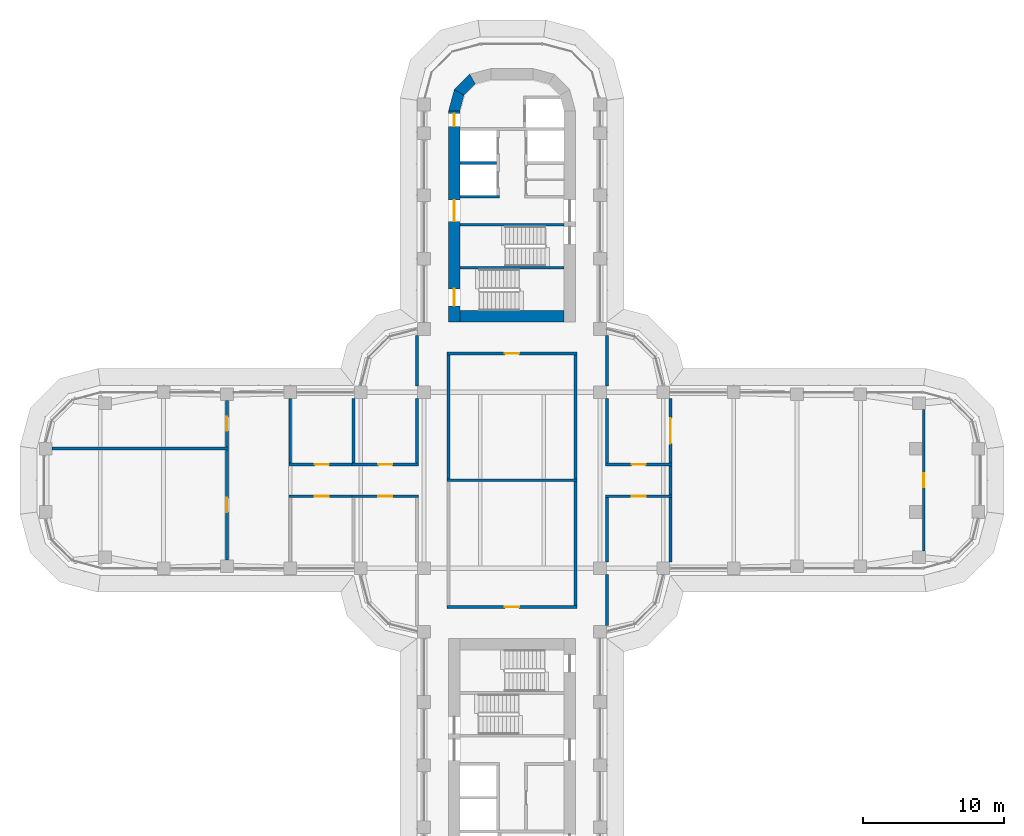
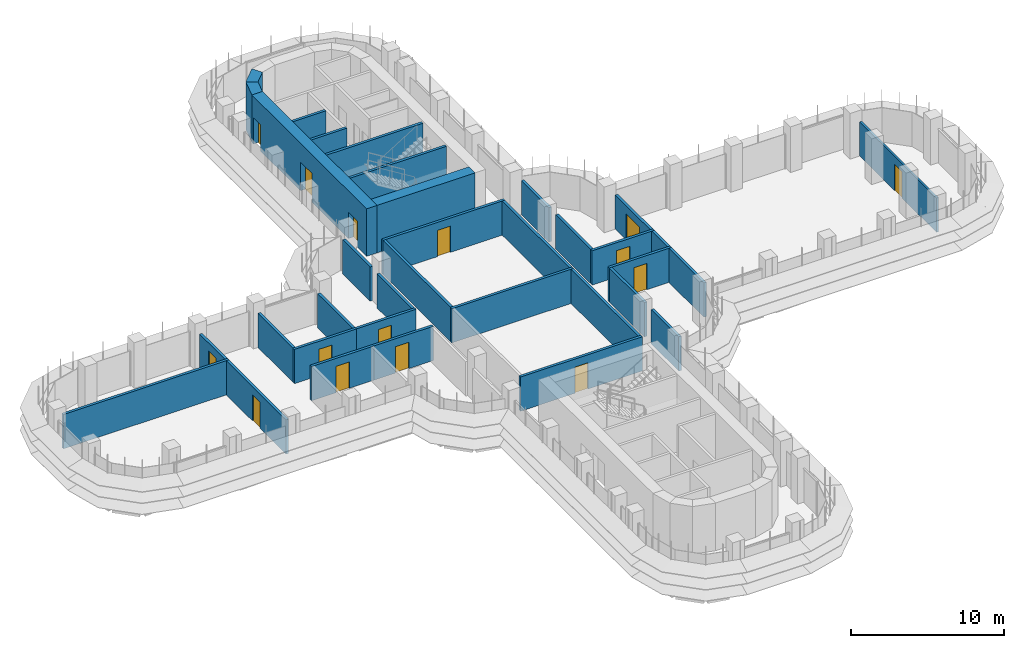
# One storey, part 16 of 21: 35 walls, 15 doors, 15 openings.
"""IFC4 building model written with IfcOpenShell, lengths in metres."""

from ifc_helpers import new_model, si_unit, direction, frame, frame_2d, origin, place, context, subcontext, project, spatial, polyline, rectangle, outline, extrude, material, layer, layer_set, type_object, element, fill, save


model = new_model("IFC4")

# Units and contexts
model_context = context("Model", 3, precision=1e-05, world=origin(), true_north=direction((0.0, 1.0)))
body_context = subcontext(model_context, "Body", "Model", "MODEL_VIEW")
ifc_project = project(units=[si_unit("LENGTHUNIT", "METRE"), si_unit("AREAUNIT", "SQUARE_METRE"), si_unit("VOLUMEUNIT", "CUBIC_METRE"), si_unit("PLANEANGLEUNIT", "RADIAN"), si_unit("MASSUNIT", "GRAM", prefix="KILO")], contexts=[model_context])

# Site, building, storey
site_placement = place(None, origin())
site = spatial("IfcSite", under=ifc_project, at=site_placement, CompositionType="ELEMENT")
building_placement = place(site_placement, origin())
building = spatial("IfcBuilding", under=site, at=building_placement, Name="Zarbagh Exchange Tower", CompositionType="ELEMENT")
storey_placement = place(building_placement, frame((0.0, 0.0, 117.0)))
storey = spatial("IfcBuildingStorey", under=building, at=storey_placement, Name="L27", CompositionType="ELEMENT", Elevation=117.0)

# Wall, opening, door
ifc_material_1 = material(Name="Plasterboard partition")
ifc_layer_1 = layer(ifc_material_1, 0.14990234375)
ifc_layer_set_1 = layer_set([ifc_layer_1], Name="PARTITION 150")
wall_type_1 = type_object("IfcWallType", Name="PARTITION 150", PredefinedType="PARTITIONING", material=ifc_layer_set_1)
wall_1_placement = place(storey_placement, frame((29.25, 5.02490234375, 0.0), z_axis=(0.0, 0.0, 1.0), x_axis=(0.0, -1.0, 0.0)))
wall_1 = element("IfcWall", 1, at=wall_1_placement, inside=storey, type_object=wall_type_1, Name="Partition W-1021", PredefinedType="PARTITIONING", context=body_context, shape_type="SweptSolid", body=[
    extrude(rectangle(XDim=10.0498046875, YDim=0.14990234375, at=frame_2d((5.02490234375, 0.0))), origin(), (0.0, 0.0, 1.0), 2.738037109375),
])
opening_1_placement = place(wall_1_placement, frame((4.52490234375, 0.0, 0.0)))
opening_1 = element("IfcOpeningElement", 2, at=opening_1_placement, cuts=wall_1, Name="Opening D-1003", PredefinedType="OPENING", context=body_context, shape_type="SweptSolid", body=[
    extrude(rectangle(XDim=1.0, YDim=2.10009765625, at=frame_2d((0.5, 1.050048828125))), frame((0.0, 0.0849609375, 0.0), z_axis=(0.0, -1.0, 0.0), x_axis=(1.0, 0.0, 0.0)), (0.0, 0.0, 1.0), 0.169921875),
])
ifc_material_2 = material(Name="Timber door leaf", Category="wood")
door_type_1 = type_object("IfcDoorType", Name="DOOR 1000 X 2100", OperationType="NOTDEFINED", PredefinedType="DOOR", material=ifc_material_2)
door_1_placement = place(opening_1_placement, origin())
door_1 = element("IfcDoor", 3, at=door_1_placement, inside=storey, type_object=door_type_1, Name="Door D-1003", OperationType="SINGLE_SWING_RIGHT", OverallHeight=2.10009765625, OverallWidth=1.0, PredefinedType="DOOR", context=body_context, shape_type="SweptSolid", body=[
    extrude(rectangle(XDim=1.0, YDim=2.10009765625, at=frame_2d((0.5, 1.050048828125))), frame((0.0, 0.02490234375, 0.0), z_axis=(0.0, -1.0, 0.0), x_axis=(1.0, 0.0, 0.0)), (0.0, 0.0, 1.0), 0.050048828125),
])
fill(opening_1, door_1)

# Walls
ifc_material_3 = material(Name="Fire-rated plasterboard partition")
ifc_layer_2 = layer(ifc_material_3, 0.199951171875)
ifc_layer_set_2 = layer_set([ifc_layer_2], Name="RATED PARTITION 200")
wall_type_2 = type_object("IfcWallType", Name="RATED PARTITION 200", PredefinedType="PARTITIONING", material=ifc_layer_set_2)
wall_2_placement = place(storey_placement, frame((-4.5, 0.10009765625, 0.0), z_axis=(0.0, 0.0, 1.0), x_axis=(0.0, 1.0, 0.0)))
element("IfcWall", 4, at=wall_2_placement, inside=storey, type_object=wall_type_2, Name="Partition W-1001", PredefinedType="PARTITIONING", context=body_context, shape_type="SweptSolid", body=[
    extrude(rectangle(XDim=8.7998046875, YDim=0.199951171875, at=frame_2d((4.39990234375, 0.0))), origin(), (0.0, 0.0, 1.0), 2.738037109375),
])
wall_3_placement = place(storey_placement, frame((-6.75, 1.22509765625, 0.0), z_axis=(0.0, 0.0, 1.0), x_axis=(0.0, 1.0, 0.0)))
element("IfcWall", 5, at=wall_3_placement, inside=storey, type_object=wall_type_2, Name="Partition W-1003", PredefinedType="PARTITIONING", context=body_context, shape_type="SweptSolid", body=[
    extrude(rectangle(XDim=4.574951171875, YDim=0.199951171875, at=frame_2d((2.28759765625, 0.0))), origin(), (0.0, 0.0, 1.0), 2.738037109375),
])
wall_4_placement = place(storey_placement, frame((-6.75, 6.699951171875, 0.0), z_axis=(0.0, 0.0, 1.0), x_axis=(0.0, 1.0, 0.0)))
element("IfcWall", 6, at=wall_4_placement, inside=storey, type_object=wall_type_2, Name="Partition W-1004", PredefinedType="PARTITIONING", context=body_context, shape_type="SweptSolid", body=[
    extrude(rectangle(XDim=3.60009765625, YDim=0.199951171875, at=frame_2d((1.800048828125, 0.0))), origin(), (0.0, 0.0, 1.0), 2.738037109375),
])
for number, where, z_axis, x_axis, name in (
    (7, (4.5, 0.10009765625, 0.0), (0.0, 0.0, 1.0), (0.0, 1.0, 0.0), "Partition W-1007"),
    (8, (4.5, -8.89990234375, 0.0), (0.0, 0.0, 1.0), (0.0, 1.0, 0.0), "Partition W-1008"),
):
    element("IfcWall", number, at=place(storey_placement, frame(where, z_axis=z_axis, x_axis=x_axis)), inside=storey, type_object=wall_type_2, Name=name, PredefinedType="PARTITIONING", context=body_context, shape_type="SweptSolid", body=[
        extrude(rectangle(XDim=8.7998046875, YDim=0.199951171875, at=frame_2d((4.39990234375, 0.0))), origin(), (0.0, 0.0, 1.0), 2.738037109375),
    ])
wall_5_placement = place(storey_placement, frame((6.75, 1.22509765625, 0.0), z_axis=(0.0, 0.0, 1.0), x_axis=(0.0, 1.0, 0.0)))
element("IfcWall", 9, at=wall_5_placement, inside=storey, type_object=wall_type_2, Name="Partition W-1009", PredefinedType="PARTITIONING", context=body_context, shape_type="SweptSolid", body=[
    extrude(rectangle(XDim=4.574951171875, YDim=0.199951171875, at=frame_2d((2.28759765625, 0.0))), origin(), (0.0, 0.0, 1.0), 2.738037109375),
])
for number, where, z_axis, x_axis, name in (
    (10, (6.75, 6.699951171875, 0.0), (0.0, 0.0, 1.0), (0.0, 1.0, 0.0), "Partition W-1010"),
    (11, (6.75, -10.300048828125, 0.0), (0.0, 0.0, 1.0), (0.0, 1.0, 0.0), "Partition W-1011"),
):
    element("IfcWall", number, at=place(storey_placement, frame(where, z_axis=z_axis, x_axis=x_axis)), inside=storey, type_object=wall_type_2, Name=name, PredefinedType="PARTITIONING", context=body_context, shape_type="SweptSolid", body=[
        extrude(rectangle(XDim=3.60009765625, YDim=0.199951171875, at=frame_2d((1.800048828125, 0.0))), origin(), (0.0, 0.0, 1.0), 2.738037109375),
    ])
wall_6_placement = place(storey_placement, frame((6.75, -5.800048828125, 0.0), z_axis=(0.0, 0.0, 1.0), x_axis=(0.0, 1.0, 0.0)))
element("IfcWall", 12, at=wall_6_placement, inside=storey, type_object=wall_type_2, Name="Partition W-1012", PredefinedType="PARTITIONING", context=body_context, shape_type="SweptSolid", body=[
    extrude(rectangle(XDim=4.574951171875, YDim=0.199951171875, at=frame_2d((2.28759765625, 0.0))), origin(), (0.0, 0.0, 1.0), 2.738037109375),
])

# Wall, opening, door
wall_7_placement = place(storey_placement, frame((4.60009765625, 9.0, 0.0), z_axis=(0.0, 0.0, 1.0), x_axis=(-1.0, 0.0, 0.0)))
wall_7 = element("IfcWall", 13, at=wall_7_placement, inside=storey, type_object=wall_type_2, Name="Partition W-1013", PredefinedType="PARTITIONING", context=body_context, shape_type="SweptSolid", body=[
    extrude(rectangle(XDim=9.2001953125, YDim=0.199951171875, at=frame_2d((4.60009765625, 0.0))), origin(), (0.0, 0.0, 1.0), 2.738037109375),
])
opening_2_placement = place(wall_7_placement, frame((4.10009765625, 0.0, 0.0)))
opening_2 = element("IfcOpeningElement", 14, at=opening_2_placement, cuts=wall_7, Name="Opening D-1001", PredefinedType="OPENING", context=body_context, shape_type="SweptSolid", body=[
    extrude(rectangle(XDim=1.0, YDim=2.10009765625, at=frame_2d((0.5, 1.050048828125))), frame((0.0, 0.10986328125, 0.0), z_axis=(0.0, -1.0, 0.0), x_axis=(1.0, 0.0, 0.0)), (0.0, 0.0, 1.0), 0.219970703125),
])
ifc_material_4 = material(Name="Steel door set", Category="steel")
door_type_2 = type_object("IfcDoorType", Name="FIRE DOOR 1000 X 2100 FD30S", OperationType="NOTDEFINED", PredefinedType="DOOR", material=ifc_material_4)
door_2_placement = place(opening_2_placement, origin())
door_2 = element("IfcDoor", 15, at=door_2_placement, inside=storey, type_object=door_type_2, Name="Door D-1001", OperationType="SINGLE_SWING_RIGHT", OverallHeight=2.10009765625, OverallWidth=1.0, PredefinedType="DOOR", context=body_context, shape_type="SweptSolid", body=[
    extrude(rectangle(XDim=1.0, YDim=2.10009765625, at=frame_2d((0.5, 1.050048828125))), frame((0.0, 0.02490234375, 0.0), z_axis=(0.0, -1.0, 0.0), x_axis=(1.0, 0.0, 0.0)), (0.0, 0.0, 1.0), 0.050048828125),
])
fill(opening_2, door_2)

wall_8_placement = place(storey_placement, frame((-4.60009765625, -9.0, 0.0), z_axis=(0.0, 0.0, 1.0), x_axis=(1.0, 0.0, 0.0)))
wall_8 = element("IfcWall", 16, at=wall_8_placement, inside=storey, type_object=wall_type_2, Name="Partition W-1014", PredefinedType="PARTITIONING", context=body_context, shape_type="SweptSolid", body=[
    extrude(rectangle(XDim=9.2001953125, YDim=0.199951171875, at=frame_2d((4.60009765625, 0.0))), origin(), (0.0, 0.0, 1.0), 2.738037109375),
])
opening_3_placement = place(wall_8_placement, frame((4.10009765625, 0.0, 0.0)))
opening_3 = element("IfcOpeningElement", 17, at=opening_3_placement, cuts=wall_8, Name="Opening D-1002", PredefinedType="OPENING", context=body_context, shape_type="SweptSolid", body=[
    extrude(rectangle(XDim=1.0, YDim=2.10009765625, at=frame_2d((0.5, 1.050048828125))), frame((0.0, 0.10986328125, 0.0), z_axis=(0.0, -1.0, 0.0), x_axis=(1.0, 0.0, 0.0)), (0.0, 0.0, 1.0), 0.219970703125),
])
door_3_placement = place(opening_3_placement, origin())
door_3 = element("IfcDoor", 18, at=door_3_placement, inside=storey, type_object=door_type_2, Name="Door D-1002", OperationType="SINGLE_SWING_RIGHT", OverallHeight=2.10009765625, OverallWidth=1.0, PredefinedType="DOOR", context=body_context, shape_type="SweptSolid", body=[
    extrude(rectangle(XDim=1.0, YDim=2.10009765625, at=frame_2d((0.5, 1.050048828125))), frame((0.0, 0.02490234375, 0.0), z_axis=(0.0, -1.0, 0.0), x_axis=(1.0, 0.0, 0.0)), (0.0, 0.0, 1.0), 0.050048828125),
])
fill(opening_3, door_3)

# Wall
wall_9_placement = place(storey_placement, frame((-4.60009765625, 0.0, 0.0), z_axis=(0.0, 0.0, 1.0), x_axis=(1.0, 0.0, 0.0)))
element("IfcWall", 19, at=wall_9_placement, inside=storey, type_object=wall_type_2, Name="Partition W-1015", PredefinedType="PARTITIONING", context=body_context, shape_type="SweptSolid", body=[
    extrude(rectangle(XDim=9.2001953125, YDim=0.199951171875, at=frame_2d((4.60009765625, 0.0))), origin(), (0.0, 0.0, 1.0), 2.738037109375),
])

# Wall, opening, door
wall_10_placement = place(storey_placement, frame((6.64990234375, 1.125, 0.0), z_axis=(0.0, 0.0, 1.0), x_axis=(1.0, 0.0, 0.0)))
wall_10 = element("IfcWall", 20, at=wall_10_placement, inside=storey, type_object=wall_type_2, Name="Partition W-1016", PredefinedType="PARTITIONING", context=body_context, shape_type="SweptSolid", body=[
    extrude(rectangle(XDim=4.7001953125, YDim=0.199951171875, at=frame_2d((2.35009765625, 0.0))), origin(), (0.0, 0.0, 1.0), 2.738037109375),
])
opening_4_placement = place(wall_10_placement, frame((1.85009765625, 0.0, 0.0)))
opening_4 = element("IfcOpeningElement", 21, at=opening_4_placement, cuts=wall_10, Name="Opening D-1005", PredefinedType="OPENING", context=body_context, shape_type="SweptSolid", body=[
    extrude(rectangle(XDim=1.0, YDim=2.10009765625, at=frame_2d((0.5, 1.050048828125))), frame((0.0, 0.10986328125, 0.0), z_axis=(0.0, -1.0, 0.0), x_axis=(1.0, 0.0, 0.0)), (0.0, 0.0, 1.0), 0.219970703125),
])
door_4_placement = place(opening_4_placement, origin())
door_4 = element("IfcDoor", 22, at=door_4_placement, inside=storey, type_object=door_type_2, Name="Door D-1005", OperationType="SINGLE_SWING_RIGHT", OverallHeight=2.10009765625, OverallWidth=1.0, PredefinedType="DOOR", context=body_context, shape_type="SweptSolid", body=[
    extrude(rectangle(XDim=1.0, YDim=2.10009765625, at=frame_2d((0.5, 1.050048828125))), frame((0.0, 0.02490234375, 0.0), z_axis=(0.0, -1.0, 0.0), x_axis=(1.0, 0.0, 0.0)), (0.0, 0.0, 1.0), 0.050048828125),
])
fill(opening_4, door_4)

wall_11_placement = place(storey_placement, frame((11.35009765625, -1.125, 0.0), z_axis=(0.0, 0.0, 1.0), x_axis=(-1.0, 0.0, 0.0)))
wall_11 = element("IfcWall", 23, at=wall_11_placement, inside=storey, type_object=wall_type_2, Name="Partition W-1017", PredefinedType="PARTITIONING", context=body_context, shape_type="SweptSolid", body=[
    extrude(rectangle(XDim=4.7001953125, YDim=0.199951171875, at=frame_2d((2.35009765625, 0.0))), origin(), (0.0, 0.0, 1.0), 2.738037109375),
])
opening_5_placement = place(wall_11_placement, frame((1.85009765625, 0.0, 0.0)))
opening_5 = element("IfcOpeningElement", 24, at=opening_5_placement, cuts=wall_11, Name="Opening D-1006", PredefinedType="OPENING", context=body_context, shape_type="SweptSolid", body=[
    extrude(rectangle(XDim=1.0, YDim=2.10009765625, at=frame_2d((0.5, 1.050048828125))), frame((0.0, 0.10986328125, 0.0), z_axis=(0.0, -1.0, 0.0), x_axis=(1.0, 0.0, 0.0)), (0.0, 0.0, 1.0), 0.219970703125),
])
door_5_placement = place(opening_5_placement, origin())
door_5 = element("IfcDoor", 25, at=door_5_placement, inside=storey, type_object=door_type_2, Name="Door D-1006", OperationType="SINGLE_SWING_RIGHT", OverallHeight=2.10009765625, OverallWidth=1.0, PredefinedType="DOOR", context=body_context, shape_type="SweptSolid", body=[
    extrude(rectangle(XDim=1.0, YDim=2.10009765625, at=frame_2d((0.5, 1.050048828125))), frame((0.0, 0.02490234375, 0.0), z_axis=(0.0, -1.0, 0.0), x_axis=(1.0, 0.0, 0.0)), (0.0, 0.0, 1.0), 0.050048828125),
])
fill(opening_5, door_5)

# Wall
wall_12_placement = place(storey_placement, frame((11.25, -1.02490234375, 0.0), z_axis=(0.0, 0.0, 1.0), x_axis=(0.0, 1.0, 0.0)))
element("IfcWall", 26, at=wall_12_placement, inside=storey, type_object=wall_type_2, Name="Partition W-1018", PredefinedType="PARTITIONING", context=body_context, shape_type="SweptSolid", body=[
    extrude(rectangle(XDim=2.0498046875, YDim=0.199951171875, at=frame_2d((1.02490234375, 0.0))), origin(), (0.0, 0.0, 1.0), 2.738037109375),
])

# Wall, opening, door
wall_13_placement = place(storey_placement, frame((11.25, 5.800048828125, 0.0), z_axis=(0.0, 0.0, 1.0), x_axis=(0.0, -1.0, 0.0)))
wall_13 = element("IfcWall", 27, at=wall_13_placement, inside=storey, type_object=wall_type_2, Name="Partition W-1019", PredefinedType="PARTITIONING", context=body_context, shape_type="SweptSolid", body=[
    extrude(rectangle(XDim=4.574951171875, YDim=0.199951171875, at=frame_2d((2.28759765625, 0.0))), origin(), (0.0, 0.0, 1.0), 2.738037109375),
])
opening_6_placement = place(wall_13_placement, frame((1.387451171875, 0.0, 0.0)))
opening_6 = element("IfcOpeningElement", 28, at=opening_6_placement, cuts=wall_13, Name="Opening D-1004", PredefinedType="OPENING", context=body_context, shape_type="SweptSolid", body=[
    extrude(rectangle(XDim=1.800048828125, YDim=2.10009765625, at=frame_2d((0.89990234375, 1.050048828125))), frame((0.0, 0.10986328125, 0.0), z_axis=(0.0, -1.0, 0.0), x_axis=(1.0, 0.0, 0.0)), (0.0, 0.0, 1.0), 0.219970703125),
])
door_type_3 = type_object("IfcDoorType", Name="FIRE DOUBLE DOOR 1800 X 2100 FD30S", OperationType="DOUBLE_DOOR_SINGLE_SWING", PredefinedType="DOOR", material=ifc_material_4)
door_6_placement = place(opening_6_placement, origin())
door_6 = element("IfcDoor", 29, at=door_6_placement, inside=storey, type_object=door_type_3, Name="Door D-1004", OperationType="DOUBLE_DOOR_SINGLE_SWING", OverallHeight=2.10009765625, OverallWidth=1.800048828125, PredefinedType="DOOR", context=body_context, shape_type="SweptSolid", body=[
    extrude(rectangle(XDim=1.800048828125, YDim=2.10009765625, at=frame_2d((0.89990234375, 1.050048828125))), frame((0.0, 0.02490234375, 0.0), z_axis=(0.0, -1.0, 0.0), x_axis=(1.0, 0.0, 0.0)), (0.0, 0.0, 1.0), 0.050048828125),
])
fill(opening_6, door_6)

# Wall
wall_14_placement = place(storey_placement, frame((11.25, -5.800048828125, 0.0), z_axis=(0.0, 0.0, 1.0), x_axis=(0.0, 1.0, 0.0)))
element("IfcWall", 30, at=wall_14_placement, inside=storey, type_object=wall_type_2, Name="Partition W-1020", PredefinedType="PARTITIONING", context=body_context, shape_type="SweptSolid", body=[
    extrude(rectangle(XDim=4.574951171875, YDim=0.199951171875, at=frame_2d((2.28759765625, 0.0))), origin(), (0.0, 0.0, 1.0), 2.738037109375),
])

# Wall, opening, door
wall_15_placement = place(storey_placement, frame((-11.35009765625, 1.125, 0.0), z_axis=(0.0, 0.0, 1.0), x_axis=(1.0, 0.0, 0.0)))
wall_15 = element("IfcWall", 31, at=wall_15_placement, inside=storey, type_object=wall_type_2, Name="Partition W-1022", PredefinedType="PARTITIONING", context=body_context, shape_type="SweptSolid", body=[
    extrude(rectangle(XDim=4.7001953125, YDim=0.199951171875, at=frame_2d((2.35009765625, 0.0))), origin(), (0.0, 0.0, 1.0), 2.738037109375),
])
opening_7_placement = place(wall_15_placement, frame((1.85009765625, 0.0, 0.0)))
opening_7 = element("IfcOpeningElement", 32, at=opening_7_placement, cuts=wall_15, Name="Opening D-1007", PredefinedType="OPENING", context=body_context, shape_type="SweptSolid", body=[
    extrude(rectangle(XDim=1.0, YDim=2.10009765625, at=frame_2d((0.5, 1.050048828125))), frame((0.0, 0.10986328125, 0.0), z_axis=(0.0, -1.0, 0.0), x_axis=(1.0, 0.0, 0.0)), (0.0, 0.0, 1.0), 0.219970703125),
])
door_7_placement = place(opening_7_placement, origin())
door_7 = element("IfcDoor", 33, at=door_7_placement, inside=storey, type_object=door_type_2, Name="Door D-1007", OperationType="SINGLE_SWING_RIGHT", OverallHeight=2.10009765625, OverallWidth=1.0, PredefinedType="DOOR", context=body_context, shape_type="SweptSolid", body=[
    extrude(rectangle(XDim=1.0, YDim=2.10009765625, at=frame_2d((0.5, 1.050048828125))), frame((0.0, 0.02490234375, 0.0), z_axis=(0.0, -1.0, 0.0), x_axis=(1.0, 0.0, 0.0)), (0.0, 0.0, 1.0), 0.050048828125),
])
fill(opening_7, door_7)

wall_16_placement = place(storey_placement, frame((-6.64990234375, -1.125, 0.0), z_axis=(0.0, 0.0, 1.0), x_axis=(-1.0, 0.0, 0.0)))
wall_16 = element("IfcWall", 34, at=wall_16_placement, inside=storey, type_object=wall_type_2, Name="Partition W-1023", PredefinedType="PARTITIONING", context=body_context, shape_type="SweptSolid", body=[
    extrude(rectangle(XDim=4.7001953125, YDim=0.199951171875, at=frame_2d((2.35009765625, 0.0))), origin(), (0.0, 0.0, 1.0), 2.738037109375),
])
opening_8_placement = place(wall_16_placement, frame((1.85009765625, 0.0, 0.0)))
opening_8 = element("IfcOpeningElement", 35, at=opening_8_placement, cuts=wall_16, Name="Opening D-1009", PredefinedType="OPENING", context=body_context, shape_type="SweptSolid", body=[
    extrude(rectangle(XDim=1.0, YDim=2.10009765625, at=frame_2d((0.5, 1.050048828125))), frame((0.0, 0.10986328125, 0.0), z_axis=(0.0, -1.0, 0.0), x_axis=(1.0, 0.0, 0.0)), (0.0, 0.0, 1.0), 0.219970703125),
])
door_8_placement = place(opening_8_placement, origin())
door_8 = element("IfcDoor", 36, at=door_8_placement, inside=storey, type_object=door_type_2, Name="Door D-1009", OperationType="SINGLE_SWING_RIGHT", OverallHeight=2.10009765625, OverallWidth=1.0, PredefinedType="DOOR", context=body_context, shape_type="SweptSolid", body=[
    extrude(rectangle(XDim=1.0, YDim=2.10009765625, at=frame_2d((0.5, 1.050048828125))), frame((0.0, 0.02490234375, 0.0), z_axis=(0.0, -1.0, 0.0), x_axis=(1.0, 0.0, 0.0)), (0.0, 0.0, 1.0), 0.050048828125),
])
fill(opening_8, door_8)

wall_17_placement = place(storey_placement, frame((-15.85009765625, 1.125, 0.0), z_axis=(0.0, 0.0, 1.0), x_axis=(1.0, 0.0, 0.0)))
wall_17 = element("IfcWall", 37, at=wall_17_placement, inside=storey, type_object=wall_type_2, Name="Partition W-1024", PredefinedType="PARTITIONING", context=body_context, shape_type="SweptSolid", body=[
    extrude(rectangle(XDim=4.7001953125, YDim=0.199951171875, at=frame_2d((2.35009765625, 0.0))), origin(), (0.0, 0.0, 1.0), 2.738037109375),
])
opening_9_placement = place(wall_17_placement, frame((1.85009765625, 0.0, 0.0)))
opening_9 = element("IfcOpeningElement", 38, at=opening_9_placement, cuts=wall_17, Name="Opening D-1008", PredefinedType="OPENING", context=body_context, shape_type="SweptSolid", body=[
    extrude(rectangle(XDim=1.0, YDim=2.10009765625, at=frame_2d((0.5, 1.050048828125))), frame((0.0, 0.10986328125, 0.0), z_axis=(0.0, -1.0, 0.0), x_axis=(1.0, 0.0, 0.0)), (0.0, 0.0, 1.0), 0.219970703125),
])
door_9_placement = place(opening_9_placement, origin())
door_9 = element("IfcDoor", 39, at=door_9_placement, inside=storey, type_object=door_type_2, Name="Door D-1008", OperationType="SINGLE_SWING_RIGHT", OverallHeight=2.10009765625, OverallWidth=1.0, PredefinedType="DOOR", context=body_context, shape_type="SweptSolid", body=[
    extrude(rectangle(XDim=1.0, YDim=2.10009765625, at=frame_2d((0.5, 1.050048828125))), frame((0.0, 0.02490234375, 0.0), z_axis=(0.0, -1.0, 0.0), x_axis=(1.0, 0.0, 0.0)), (0.0, 0.0, 1.0), 0.050048828125),
])
fill(opening_9, door_9)

wall_18_placement = place(storey_placement, frame((-11.14990234375, -1.125, 0.0), z_axis=(0.0, 0.0, 1.0), x_axis=(-1.0, 0.0, 0.0)))
wall_18 = element("IfcWall", 40, at=wall_18_placement, inside=storey, type_object=wall_type_2, Name="Partition W-1025", PredefinedType="PARTITIONING", context=body_context, shape_type="SweptSolid", body=[
    extrude(rectangle(XDim=4.7001953125, YDim=0.199951171875, at=frame_2d((2.35009765625, 0.0))), origin(), (0.0, 0.0, 1.0), 2.738037109375),
])
opening_10_placement = place(wall_18_placement, frame((1.85009765625, 0.0, 0.0)))
opening_10 = element("IfcOpeningElement", 41, at=opening_10_placement, cuts=wall_18, Name="Opening D-1010", PredefinedType="OPENING", context=body_context, shape_type="SweptSolid", body=[
    extrude(rectangle(XDim=1.0, YDim=2.10009765625, at=frame_2d((0.5, 1.050048828125))), frame((0.0, 0.10986328125, 0.0), z_axis=(0.0, -1.0, 0.0), x_axis=(1.0, 0.0, 0.0)), (0.0, 0.0, 1.0), 0.219970703125),
])
door_10_placement = place(opening_10_placement, origin())
door_10 = element("IfcDoor", 42, at=door_10_placement, inside=storey, type_object=door_type_2, Name="Door D-1010", OperationType="SINGLE_SWING_RIGHT", OverallHeight=2.10009765625, OverallWidth=1.0, PredefinedType="DOOR", context=body_context, shape_type="SweptSolid", body=[
    extrude(rectangle(XDim=1.0, YDim=2.10009765625, at=frame_2d((0.5, 1.050048828125))), frame((0.0, 0.02490234375, 0.0), z_axis=(0.0, -1.0, 0.0), x_axis=(1.0, 0.0, 0.0)), (0.0, 0.0, 1.0), 0.050048828125),
])
fill(opening_10, door_10)

# Walls
for number, where, z_axis, x_axis, name in (
    (43, (-11.25, 1.22509765625, 0.0), (0.0, 0.0, 1.0), (0.0, 1.0, 0.0), "Partition W-1026"),
    (44, (-15.75, 1.22509765625, 0.0), (0.0, 0.0, 1.0), (0.0, 1.0, 0.0), "Partition W-1028"),
):
    element("IfcWall", number, at=place(storey_placement, frame(where, z_axis=z_axis, x_axis=x_axis)), inside=storey, type_object=wall_type_2, Name=name, PredefinedType="PARTITIONING", context=body_context, shape_type="SweptSolid", body=[
        extrude(rectangle(XDim=4.574951171875, YDim=0.199951171875, at=frame_2d((2.28759765625, 0.0))), origin(), (0.0, 0.0, 1.0), 2.738037109375),
    ])

# Wall, opening, door
wall_19_placement = place(storey_placement, frame((-20.25, -5.659912109375, 0.0), z_axis=(0.0, 0.0, 1.0), x_axis=(0.0, 1.0, 0.0)))
wall_19 = element("IfcWall", 45, at=wall_19_placement, inside=storey, type_object=wall_type_2, Name="Partition W-1030", PredefinedType="PARTITIONING", context=body_context, shape_type="SweptSolid", body=[
    extrude(rectangle(XDim=7.809814453125, YDim=0.199951171875, at=frame_2d((3.90478515625, 0.0))), origin(), (0.0, 0.0, 1.0), 2.738037109375),
])
opening_11_placement = place(wall_19_placement, frame((3.405029296875, 0.0, 0.0)))
opening_11 = element("IfcOpeningElement", 46, at=opening_11_placement, cuts=wall_19, Name="Opening D-1011", PredefinedType="OPENING", context=body_context, shape_type="SweptSolid", body=[
    extrude(rectangle(XDim=1.0, YDim=2.10009765625, at=frame_2d((0.5, 1.050048828125))), frame((0.0, 0.10986328125, 0.0), z_axis=(0.0, -1.0, 0.0), x_axis=(1.0, 0.0, 0.0)), (0.0, 0.0, 1.0), 0.219970703125),
])
door_11_placement = place(opening_11_placement, origin())
door_11 = element("IfcDoor", 47, at=door_11_placement, inside=storey, type_object=door_type_2, Name="Door D-1011", OperationType="SINGLE_SWING_RIGHT", OverallHeight=2.10009765625, OverallWidth=1.0, PredefinedType="DOOR", context=body_context, shape_type="SweptSolid", body=[
    extrude(rectangle(XDim=1.0, YDim=2.10009765625, at=frame_2d((0.5, 1.050048828125))), frame((0.0, 0.02490234375, 0.0), z_axis=(0.0, -1.0, 0.0), x_axis=(1.0, 0.0, 0.0)), (0.0, 0.0, 1.0), 0.050048828125),
])
fill(opening_11, door_11)

wall_20_placement = place(storey_placement, frame((-20.25, 2.35009765625, 0.0), z_axis=(0.0, 0.0, 1.0), x_axis=(0.0, 1.0, 0.0)))
wall_20 = element("IfcWall", 48, at=wall_20_placement, inside=storey, type_object=wall_type_2, Name="Partition W-1031", PredefinedType="PARTITIONING", context=body_context, shape_type="SweptSolid", body=[
    extrude(rectangle(XDim=3.309814453125, YDim=0.199951171875, at=frame_2d((1.65478515625, 0.0))), origin(), (0.0, 0.0, 1.0), 2.738037109375),
])
opening_12_placement = place(wall_20_placement, frame((1.155029296875, 0.0, 0.0)))
opening_12 = element("IfcOpeningElement", 49, at=opening_12_placement, cuts=wall_20, Name="Opening D-1012", PredefinedType="OPENING", context=body_context, shape_type="SweptSolid", body=[
    extrude(rectangle(XDim=1.0, YDim=2.10009765625, at=frame_2d((0.5, 1.050048828125))), frame((0.0, 0.10986328125, 0.0), z_axis=(0.0, -1.0, 0.0), x_axis=(1.0, 0.0, 0.0)), (0.0, 0.0, 1.0), 0.219970703125),
])
door_12_placement = place(opening_12_placement, origin())
door_12 = element("IfcDoor", 50, at=door_12_placement, inside=storey, type_object=door_type_2, Name="Door D-1012", OperationType="SINGLE_SWING_LEFT", OverallHeight=2.10009765625, OverallWidth=1.0, PredefinedType="DOOR", context=body_context, shape_type="SweptSolid", body=[
    extrude(rectangle(XDim=1.0, YDim=2.10009765625, at=frame_2d((0.5, 1.050048828125))), frame((0.0, 0.02490234375, 0.0), z_axis=(0.0, -1.0, 0.0), x_axis=(1.0, 0.0, 0.0)), (0.0, 0.0, 1.0), 0.050048828125),
])
fill(opening_12, door_12)

# Walls
wall_21_placement = place(storey_placement, frame((-32.659912109375, 2.25, 0.0), z_axis=(0.0, 0.0, 1.0), x_axis=(1.0, 0.0, 0.0)))
element("IfcWall", 51, at=wall_21_placement, inside=storey, type_object=wall_type_2, Name="Partition W-1032", PredefinedType="PARTITIONING", context=body_context, shape_type="SweptSolid", body=[
    extrude(rectangle(XDim=12.510009765625, YDim=0.199951171875, at=frame_2d((6.2548828125, 0.0))), origin(), (0.0, 0.0, 1.0), 2.738037109375),
])
ifc_material_5 = material(Name="Concrete C60/75", Category="concrete")
ifc_layer_3 = layer(ifc_material_5, 0.800048828125)
ifc_layer_set_3 = layer_set([ifc_layer_3], Name="RC core corner wall 800 C60/75")
wall_type_3 = type_object("IfcWallType", Name="RC core corner wall 800 C60/75", PredefinedType="SHEAR", material=ifc_layer_set_3)
wall_22_placement = place(storey_placement, origin())
element("IfcWall", 52, at=wall_22_placement, inside=storey, type_object=wall_type_3, Name="CW4 core N corner W", PredefinedType="SHEAR", context=body_context, shape_type="SweptSolid", body=[
    extrude(outline(polyline([(-4.5, 26.25), (-4.09814453125, 27.75), (-3.4052734375, 27.35009765625), (-3.699951171875, 26.25), (-4.5, 26.25)])), origin(), (0.0, 0.0, 1.0), 3.800048828125),
])
wall_23_placement = place(storey_placement, origin())
element("IfcWall", 53, at=wall_23_placement, inside=storey, type_object=wall_type_3, Name="CW4 core N corner W", PredefinedType="SHEAR", context=body_context, shape_type="SweptSolid", body=[
    extrude(outline(polyline([(-4.09814453125, 27.75), (-3.0, 28.84814453125), (-2.60009765625, 28.1552734375), (-3.4052734375, 27.35009765625), (-4.09814453125, 27.75)])), origin(), (0.0, 0.0, 1.0), 3.800048828125),
])

# Wall, openings, doors
ifc_layer_4 = layer(ifc_material_5, 0.800048828125)
ifc_layer_set_4 = layer_set([ifc_layer_4], Name="RC core wall 800 C60/75")
wall_type_4 = type_object("IfcWallType", Name="RC core wall 800 C60/75", PredefinedType="SHEAR", material=ifc_layer_set_4)
wall_24_placement = place(storey_placement, frame((-4.10009765625, 11.25, 0.0), z_axis=(0.0, 0.0, 1.0), x_axis=(0.0, 1.0, 0.0)))
wall_24 = element("IfcWall", 54, at=wall_24_placement, inside=storey, type_object=wall_type_4, Name="CW3 core N W", PredefinedType="SHEAR", context=body_context, shape_type="SweptSolid", body=[
    extrude(rectangle(XDim=15.0, YDim=0.800048828125, at=frame_2d((7.5, 0.0))), origin(), (0.0, 0.0, 1.0), 3.800048828125),
])
opening_13_placement = place(wall_24_placement, frame((7.14990234375, 0.0, 0.0)))
opening_13 = element("IfcOpeningElement", 55, at=opening_13_placement, cuts=wall_24, Name="Opening CD1-1500", PredefinedType="OPENING", context=body_context, shape_type="SweptSolid", body=[
    extrude(rectangle(XDim=1.5, YDim=2.300048828125, at=frame_2d((0.75, 1.14990234375))), frame((0.0, 0.409912109375, 0.0), z_axis=(0.0, -1.0, 0.0), x_axis=(1.0, 0.0, 0.0)), (0.0, 0.0, 1.0), 0.820068359375),
])
opening_14_placement = place(wall_24_placement, frame((13.89990234375, 0.0, 0.0)))
opening_14 = element("IfcOpeningElement", 56, at=opening_14_placement, cuts=wall_24, Name="Opening CD2-900", PredefinedType="OPENING", context=body_context, shape_type="SweptSolid", body=[
    extrude(rectangle(XDim=0.89990234375, YDim=2.10009765625, at=frame_2d((0.449951171875, 1.050048828125))), frame((0.0, 0.409912109375, 0.0), z_axis=(0.0, -1.0, 0.0), x_axis=(1.0, 0.0, 0.0)), (0.0, 0.0, 1.0), 0.820068359375),
])
opening_15_placement = place(wall_24_placement, frame((1.14990234375, 0.0, 0.0)))
opening_15 = element("IfcOpeningElement", 57, at=opening_15_placement, cuts=wall_24, Name="Opening SD1-1200", PredefinedType="OPENING", context=body_context, shape_type="SweptSolid", body=[
    extrude(rectangle(XDim=1.199951171875, YDim=2.10009765625, at=frame_2d((0.60009765625, 1.050048828125))), frame((0.0, 0.409912109375, 0.0), z_axis=(0.0, -1.0, 0.0), x_axis=(1.0, 0.0, 0.0)), (0.0, 0.0, 1.0), 0.820068359375),
])
ifc_material_6 = material(Name="Steel", Category="steel")
door_type_4 = type_object("IfcDoorType", Name="Exit stair door 1200 x 2100", OperationType="NOTDEFINED", PredefinedType="DOOR", material=ifc_material_6)
door_13_placement = place(opening_15_placement, origin())
door_13 = element("IfcDoor", 58, at=door_13_placement, inside=storey, type_object=door_type_4, Name="North core stair door ST2", OperationType="SINGLE_SWING_RIGHT", OverallHeight=2.10009765625, OverallWidth=1.199951171875, PredefinedType="DOOR", context=body_context, shape_type="SweptSolid", body=[
    extrude(rectangle(XDim=1.199951171875, YDim=2.10009765625, at=frame_2d((0.60009765625, 1.050048828125))), frame((0.0, 0.02490234375, 0.0), z_axis=(0.0, -1.0, 0.0), x_axis=(1.0, 0.0, 0.0)), (0.0, 0.0, 1.0), 0.050048828125),
])
fill(opening_15, door_13)
door_type_5 = type_object("IfcDoorType", Name="Firefighting lobby door 900 x 2100", OperationType="NOTDEFINED", PredefinedType="DOOR", material=ifc_material_6)
door_14_placement = place(opening_14_placement, origin())
door_14 = element("IfcDoor", 59, at=door_14_placement, inside=storey, type_object=door_type_5, Name="North core firefighting lobby door FF-W", OperationType="SINGLE_SWING_RIGHT", OverallHeight=2.10009765625, OverallWidth=0.89990234375, PredefinedType="DOOR", context=body_context, shape_type="SweptSolid", body=[
    extrude(rectangle(XDim=0.89990234375, YDim=2.10009765625, at=frame_2d((0.449951171875, 1.050048828125))), frame((0.0, 0.02490234375, 0.0), z_axis=(0.0, -1.0, 0.0), x_axis=(1.0, 0.0, 0.0)), (0.0, 0.0, 1.0), 0.050048828125),
])
fill(opening_14, door_14)
door_type_6 = type_object("IfcDoorType", Name="Lift lobby double door 1500 x 2300", OperationType="NOTDEFINED", PredefinedType="DOOR", material=ifc_material_6)
door_15_placement = place(opening_13_placement, origin())
door_15 = element("IfcDoor", 60, at=door_15_placement, inside=storey, type_object=door_type_6, Name="North core lift lobby door LOBBY-W", OperationType="DOUBLE_DOOR_SINGLE_SWING", OverallHeight=2.300048828125, OverallWidth=1.5, PredefinedType="DOOR", context=body_context, shape_type="SweptSolid", body=[
    extrude(rectangle(XDim=1.5, YDim=2.300048828125, at=frame_2d((0.75, 1.14990234375))), frame((0.0, 0.02490234375, 0.0), z_axis=(0.0, -1.0, 0.0), x_axis=(1.0, 0.0, 0.0)), (0.0, 0.0, 1.0), 0.050048828125),
])
fill(opening_13, door_15)

# Walls
wall_25_placement = place(storey_placement, frame((-3.699951171875, 11.64990234375, 0.0), z_axis=(0.0, 0.0, 1.0), x_axis=(1.0, 0.0, 0.0)))
element("IfcWall", 61, at=wall_25_placement, inside=storey, type_object=wall_type_4, Name="CW3 core N inner end", PredefinedType="SHEAR", context=body_context, shape_type="SweptSolid", body=[
    extrude(rectangle(XDim=7.39990234375, YDim=0.800048828125, at=frame_2d((3.699951171875, 0.0))), origin(), (0.0, 0.0, 1.0), 3.800048828125),
])
ifc_material_7 = material(Name="Dense blockwork", Category="masonry")
ifc_layer_5 = layer(ifc_material_7, 0.199951171875)
ifc_layer_set_5 = layer_set([ifc_layer_5], Name="Shaft wall 200 mm blockwork")
wall_type_5 = type_object("IfcWallType", Name="Shaft wall 200 mm blockwork", PredefinedType="PARTITIONING", material=ifc_layer_set_5)
wall_26_placement = place(storey_placement, frame((-3.699951171875, 20.14990234375, 0.0), z_axis=(0.0, 0.0, 1.0), x_axis=(1.0, 0.0, 0.0)))
element("IfcWall", 62, at=wall_26_placement, inside=storey, type_object=wall_type_5, Name="North core shaft wall AB-W", PredefinedType="PARTITIONING", context=body_context, shape_type="SweptSolid", body=[
    extrude(rectangle(XDim=2.800048828125, YDim=0.199951171875, at=frame_2d((1.39990234375, 0.0))), origin(), (0.0, 0.0, 1.0), 3.64990234375),
])
wall_27_placement = place(storey_placement, frame((-3.699951171875, 22.550048828125, 0.0), z_axis=(0.0, 0.0, 1.0), x_axis=(1.0, 0.0, 0.0)))
element("IfcWall", 63, at=wall_27_placement, inside=storey, type_object=wall_type_5, Name="North core shaft wall TR-W", PredefinedType="PARTITIONING", context=body_context, shape_type="SweptSolid", body=[
    extrude(rectangle(XDim=2.599853515625, YDim=0.199951171875, at=frame_2d((1.2998046875, 0.0))), origin(), (0.0, 0.0, 1.0), 3.64990234375),
])
ifc_material_8 = material(Name="Concrete C40/50", Category="concrete")
ifc_layer_6 = layer(ifc_material_8, 0.199951171875)
ifc_layer_set_6 = layer_set([ifc_layer_6], Name="Stair enclosure wall 200 mm RC C40/50")
wall_type_6 = type_object("IfcWallType", Name="Stair enclosure wall 200 mm RC C40/50", PredefinedType="SHEAR", material=ifc_layer_set_6)
for number, where, z_axis, x_axis, name in (
    (64, (-3.699951171875, 18.14990234375, 0.0), (0.0, 0.0, 1.0), (1.0, 0.0, 0.0), "North core stair wall BS"),
    (65, (-3.699951171875, 15.10009765625, 0.0), (0.0, 0.0, 1.0), (1.0, 0.0, 0.0), "North core stair wall ST12"),
):
    element("IfcWall", number, at=place(storey_placement, frame(where, z_axis=z_axis, x_axis=x_axis)), inside=storey, type_object=wall_type_6, Name=name, PredefinedType="SHEAR", context=body_context, shape_type="SweptSolid", body=[
        extrude(rectangle(XDim=7.39990234375, YDim=0.199951171875, at=frame_2d((3.699951171875, 0.0))), origin(), (0.0, 0.0, 1.0), 3.64990234375),
    ])

save(model, "model.ifc")
